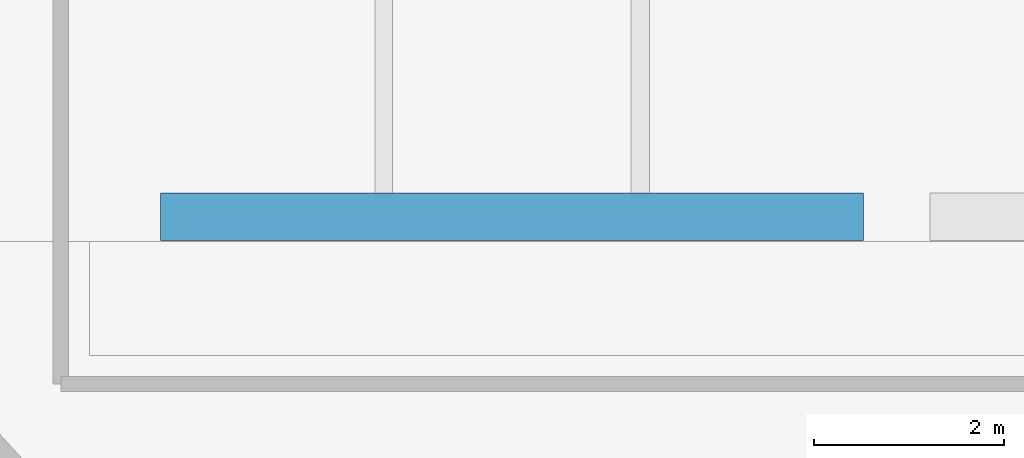
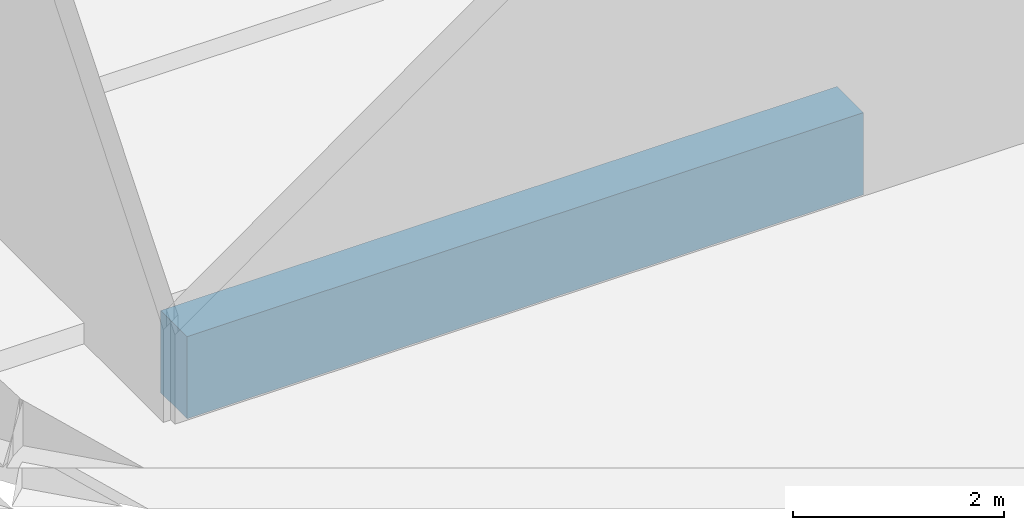
# One storey, part 50 of 372: 1 beam.
"""IFC4 building model written with IfcOpenShell, lengths in metres."""

from ifc_helpers import new_model, si_unit, direction, frame, origin, origin_2d, place, context, subcontext, project, spatial, rectangle, extrude, material, material_profile, profile_set, type_object, element, save


model = new_model("IFC4")

# Units and contexts
model_context = context("Model", 3, precision=1e-05, world=origin(), true_north=direction((0.0, 1.0)))
body_context = subcontext(model_context, "Body", "Model", "MODEL_VIEW")
ifc_project = project(units=[si_unit("LENGTHUNIT", "METRE"), si_unit("AREAUNIT", "SQUARE_METRE"), si_unit("VOLUMEUNIT", "CUBIC_METRE"), si_unit("PLANEANGLEUNIT", "RADIAN"), si_unit("MASSUNIT", "GRAM", prefix="KILO")], contexts=[model_context])

# Site, building, storey
site_placement = place(None, origin())
site = spatial("IfcSite", under=ifc_project, at=site_placement, CompositionType="ELEMENT")
building_placement = place(site_placement, origin())
building = spatial("IfcBuilding", under=site, at=building_placement, Name="Kaelora Sail Theatre", CompositionType="ELEMENT")
storey_placement = place(building_placement, origin())
storey = spatial("IfcBuildingStorey", under=building, at=storey_placement, Name="L00", CompositionType="ELEMENT", Elevation=0.0)

# Beam
ifc_material = material(Name="Concrete C45/55", Category="concrete")
ifc_material_profile = material_profile(ifc_material, rectangle(XDim=0.5, YDim=0.949951171875, at=origin_2d()), Name="RC-GRD 500x950")
ifc_profile_set = profile_set([ifc_material_profile], Name="Concrete C45/55")
beam_type = type_object("IfcBeamType", Name="STR-BM-GR-RC5095", PredefinedType="T_BEAM", material=ifc_profile_set)
beam_placement = place(storey_placement, frame((34.25, 31.260009765625, -0.794921875), z_axis=(1.0, 0.0, 0.0), x_axis=(0.0, 1.0, 0.0)))
element("IfcBeam", 1, at=beam_placement, inside=storey, type_object=beam_type, Name="Primary beam E 5-6 (L00)", PredefinedType="T_BEAM", context=body_context, shape_type="SweptSolid", body=[
    extrude(rectangle(XDim=0.5, YDim=0.949951171875, at=origin_2d()), origin(), (0.0, 0.0, 1.0), 7.39990234375),
])

save(model, "model.ifc")
